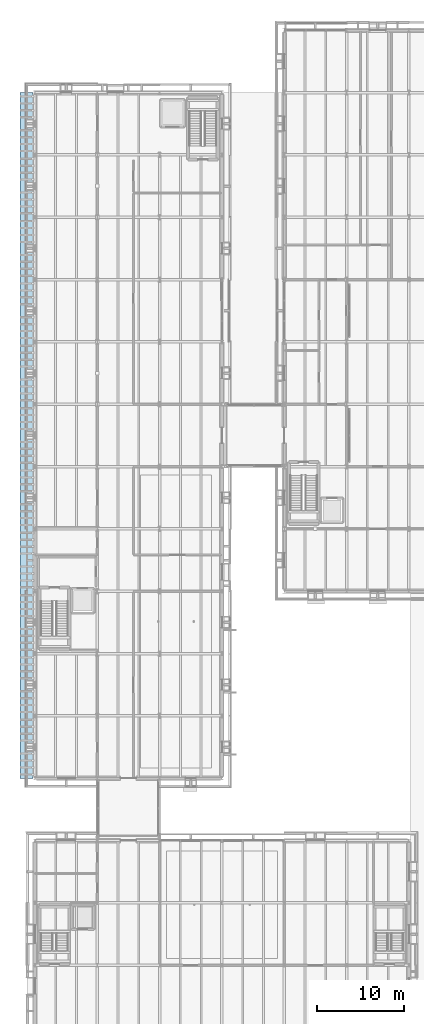
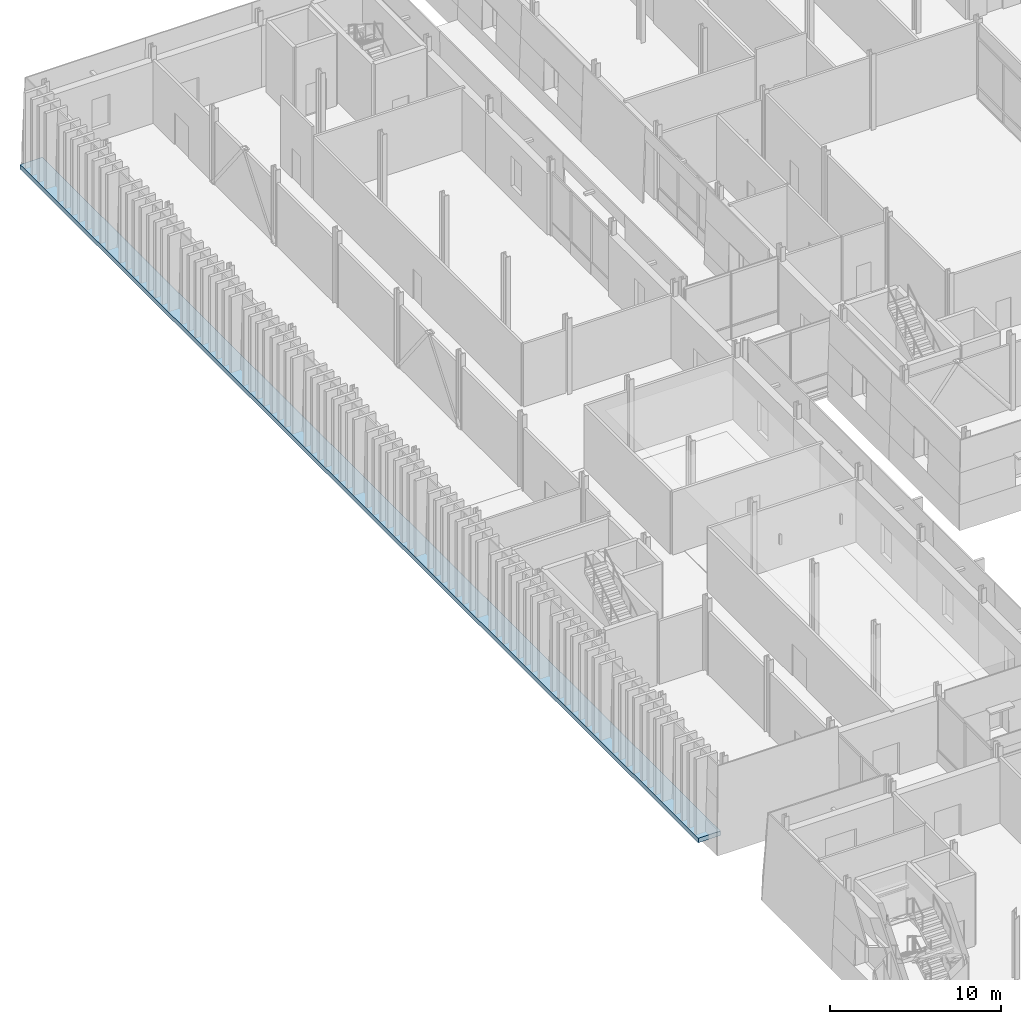
# One storey, part 53 of 120: 1 slab.
"""IFC4 building model written with IfcOpenShell, lengths in metres."""

import ifcopenshell
import ifcopenshell.guid

model = None  # the IFC model being written
_history = None  # IfcOwnerHistory: only IFC2X3 demands one
_inside = {}  # id of a spatial element -> (the spatial element, [elements in it])
_under = {}  # id of a project, library or spatial element -> (it, [spatial elements below it])
_declared = {}  # id of a project -> (the project, [libraries it declares])
_typed = {}  # id of a type object -> (the type object, [elements of that type])
_made_of = {}  # id of a material, layer set ... -> (it, [elements and type objects made of it])


def new_model(schema):
    """Start an empty IFC model of exactly this schema.

    Asked for "IFC4X3", IfcOpenShell would pick the latest addendum, in which some entities
    have other attributes; the version numbers below select the first issue.
    IFC2X3 requires an IfcOwnerHistory on every rooted entity: one is made here for all.
    """
    global model, _history
    if schema == "IFC4X3":
        model = ifcopenshell.file(schema_version=(4, 3, 0, 0))
    else:
        model = ifcopenshell.file(schema=schema)
    _inside.clear()
    _under.clear()
    _declared.clear()
    _typed.clear()
    _made_of.clear()
    _history = None
    if model.schema == "IFC2X3":
        org = make("IfcOrganization", Name="unknown")
        user = make(
            "IfcPersonAndOrganization",
            ThePerson=make("IfcPerson", FamilyName="unknown"),
            TheOrganization=org,
        )
        app = make(
            "IfcApplication",
            ApplicationDeveloper=org,
            Version="unknown",
            ApplicationFullName="unknown",
            ApplicationIdentifier="unknown",
        )
        _history = make(
            "IfcOwnerHistory",
            OwningUser=user,
            OwningApplication=app,
            ChangeAction="ADDED",
            CreationDate=0,
        )
    return model


def make(cls, **values):
    """One entity of the class cls with the attributes given. An attribute that is None is left unset."""
    return model.create_entity(
        cls, **{name: value for name, value in values.items() if value is not None}
    )


def rooted(cls, **values):
    """An entity with a GlobalId (a new one), such as an element, a storey or a relation."""
    return make(cls, GlobalId=ifcopenshell.guid.new(), OwnerHistory=_history, **values)


def si_unit(unit_type, name, prefix=None):
    """IfcSIUnit, for example si_unit("LENGTHUNIT", "METRE", prefix="MILLI")."""
    return make("IfcSIUnit", UnitType=unit_type, Prefix=prefix, Name=name)


def assignment(units):
    """IfcUnitAssignment: the units of a project."""
    return None if units is None else make("IfcUnitAssignment", Units=units)


def point(xyz):
    """IfcCartesianPoint."""
    return None if xyz is None else make("IfcCartesianPoint", Coordinates=xyz)


def direction(xyz):
    """IfcDirection."""
    return None if xyz is None else make("IfcDirection", DirectionRatios=xyz)


def frame(location, z_axis=None, x_axis=None):
    """IfcAxis2Placement3D, a coordinate frame: its origin and axes. An axis left out is left unset."""
    return make(
        "IfcAxis2Placement3D",
        Location=point(location),
        Axis=direction(z_axis),
        RefDirection=direction(x_axis),
    )


def origin():
    """The frame at (0, 0, 0) with its axes left unset."""
    return frame((0.0, 0.0, 0.0))


def place(relative_to, where):
    """IfcLocalPlacement: puts the frame where relative to a parent placement (None: the world)."""
    return make(
        "IfcLocalPlacement", PlacementRelTo=relative_to, RelativePlacement=where
    )


def context(
    kind, dimensions, precision=None, world=None, true_north=None, identifier=None
):
    """IfcGeometricRepresentationContext, for example the 3D "Model" context."""
    return make(
        "IfcGeometricRepresentationContext",
        ContextIdentifier=identifier,
        ContextType=kind,
        CoordinateSpaceDimension=dimensions,
        Precision=precision,
        WorldCoordinateSystem=world,
        TrueNorth=true_north,
    )


def subcontext(parent, identifier, kind, view, scale=None):
    """IfcGeometricRepresentationSubContext, for example "Body" below "Model"."""
    return make(
        "IfcGeometricRepresentationSubContext",
        ContextIdentifier=identifier,
        ContextType=kind,
        ParentContext=parent,
        TargetScale=scale,
        TargetView=view,
    )


def project(units=None, contexts=None):
    """IfcProject with its units and contexts."""
    return rooted(
        "IfcProject",
        Name="project",
        RepresentationContexts=contexts,
        UnitsInContext=assignment(units),
    )


def spatial(cls, under=None, at=None, **own):
    """A site, building, storey or space (cls), placed at a placement, below another one or the project."""
    s = rooted(cls, ObjectPlacement=at, **own)
    if under is not None:
        _under.setdefault(under.id(), (under, []))[1].append(s)
    return s


def polyline(points):
    """IfcPolyline through the points."""
    return make("IfcPolyline", Points=[point(p) for p in points])


def outline(outer, holes=None, kind="AREA"):
    """IfcArbitraryClosedProfileDef: a profile drawn as a closed curve; with holes, ...WithVoids."""
    if holes is None:
        return make("IfcArbitraryClosedProfileDef", ProfileType=kind, OuterCurve=outer)
    return make(
        "IfcArbitraryProfileDefWithVoids",
        ProfileType=kind,
        OuterCurve=outer,
        InnerCurves=holes,
    )


def extrude(swept, where, along, depth):
    """IfcExtrudedAreaSolid: the profile swept, set in the frame where, extruded along a direction by depth."""
    return make(
        "IfcExtrudedAreaSolid",
        SweptArea=swept,
        Position=where,
        ExtrudedDirection=direction(along),
        Depth=depth,
    )


def shape(context_of_items, identifier, shape_type, items):
    """IfcShapeRepresentation: the items that make up one representation, for example the "Body"."""
    return make(
        "IfcShapeRepresentation",
        ContextOfItems=context_of_items,
        RepresentationIdentifier=identifier,
        RepresentationType=shape_type,
        Items=items,
    )


def material(Name=None, Category=None):
    """IfcMaterial."""
    return make("IfcMaterial", Name=Name, Category=Category)


def layer(
    of_material, thickness, ventilated=None, Name=None, Category=None, Priority=None
):
    """IfcMaterialLayer: one layer of a wall or slab, of a material (None: an air gap)."""
    return make(
        "IfcMaterialLayer",
        Material=of_material,
        LayerThickness=thickness,
        IsVentilated=ventilated,
        Name=Name,
        Category=Category,
        Priority=Priority,
    )


def layer_set(layers, Name=None):
    """IfcMaterialLayerSet."""
    return make("IfcMaterialLayerSet", MaterialLayers=layers, LayerSetName=Name)


def made_of(thing, what):
    """Note that an element or type object is made of a material, layer set ...; save() writes the relation."""
    if what is not None:
        _made_of.setdefault(what.id(), (what, []))[1].append(thing)
    return thing


def type_object(cls, material=None, **own):
    """A type object (cls), such as IfcWallType, which elements share."""
    return made_of(rooted(cls, **own), material)


def element(
    cls,
    number,
    at=None,
    inside=None,
    cuts=None,
    type_object=None,
    material=None,
    context=None,
    identifier="Body",
    shape_type=None,
    held_by="IfcProductDefinitionShape",
    body=None,
    shapes=None,
    **own,
):
    """One element of the class cls, such as IfcWall. Its Tag is "e" and its number.

    at: its placement. inside: the storey or other place that contains it. cuts: it is an
    opening in that element (IfcRelVoidsElement). A single representation is given by context,
    identifier, shape_type and body (its items); several are given by shapes. held_by: the class
    of the entity that holds the representations. save() writes the other relations.
    """
    e = rooted(cls, Tag="e%d" % number, ObjectPlacement=at, **own)
    if body is not None:
        shapes = [shape(context, identifier, shape_type, body)]
    if shapes is not None:
        e.Representation = make(held_by, Representations=shapes)
    if inside is not None:
        _inside.setdefault(inside.id(), (inside, []))[1].append(e)
    if cuts is not None:
        rooted(
            "IfcRelVoidsElement", RelatingBuildingElement=cuts, RelatedOpeningElement=e
        )
    if type_object is not None:
        _typed.setdefault(type_object.id(), (type_object, []))[1].append(e)
    return made_of(e, material)


def aggregate(whole, parts):
    """IfcRelAggregates: a whole, such as a stair, and the parts it consists of."""
    return rooted("IfcRelAggregates", RelatingObject=whole, RelatedObjects=parts)


def save(model, path):
    """Write the relations noted so far, then the file.

    IfcRelAggregates (storeys below a building ...), IfcRelContainedInSpatialStructure (elements
    in a storey), IfcRelDefinesByType, IfcRelAssociatesMaterial and IfcRelDeclares: one each for
    every whole, place, type object, material and project.
    """
    for whole, parts in _under.values():
        aggregate(whole, parts)
    for where, things in _inside.values():
        rooted(
            "IfcRelContainedInSpatialStructure",
            RelatedElements=things,
            RelatingStructure=where,
        )
    for kind, things in _typed.values():
        rooted("IfcRelDefinesByType", RelatedObjects=things, RelatingType=kind)
    for what, things in _made_of.values():
        rooted("IfcRelAssociatesMaterial", RelatedObjects=things, RelatingMaterial=what)
    for by, libraries in _declared.values():
        rooted("IfcRelDeclares", RelatingContext=by, RelatedDefinitions=libraries)
    model.write(path)


model = new_model("IFC4")

# Units and contexts
model_context = context("Model", 3, precision=1e-05, world=origin(), true_north=direction((0.0, 1.0)))
body_context = subcontext(model_context, "Body", "Model", "MODEL_VIEW")
ifc_project = project(units=[si_unit("LENGTHUNIT", "METRE"), si_unit("AREAUNIT", "SQUARE_METRE"), si_unit("VOLUMEUNIT", "CUBIC_METRE"), si_unit("PLANEANGLEUNIT", "RADIAN"), si_unit("MASSUNIT", "GRAM", prefix="KILO")], contexts=[model_context])

# Site, building, storey
site_placement = place(None, origin())
site = spatial("IfcSite", under=ifc_project, at=site_placement, CompositionType="ELEMENT")
building_placement = place(site_placement, origin())
building = spatial("IfcBuilding", under=site, at=building_placement, Name="Narikvali Park Central Library", CompositionType="ELEMENT")
storey_placement = place(building_placement, origin())
storey = spatial("IfcBuildingStorey", under=building, at=storey_placement, Name="L00", CompositionType="ELEMENT", Elevation=0.0)

# Slab
ifc_material = material(Name="Concrete C35/45", Category="concrete")
ifc_layer = layer(ifc_material, 0.320068359375, Name="Concrete C35/45")
ifc_layer_set = layer_set([ifc_layer], Name="Concrete C35/45")
slab_type = type_object("IfcSlabType", Name="Forecourt Apron Paving Slab 320", PredefinedType="BASESLAB", material=ifc_layer_set)
slab_placement = place(storey_placement, frame((0.0, 0.0, -0.320068359375)))
element("IfcSlab", 1, at=slab_placement, inside=storey, type_object=slab_type, Name="West Stacks Fin Buttress Plinth Ledger Slab", PredefinedType="BASESLAB", context=body_context, shape_type="SweptSolid", body=[
    extrude(outline(polyline([(-1.719970703125, 28.800048828125), (-0.219970703125, 28.800048828125), (-0.219970703125, 108.0), (-1.719970703125, 108.0), (-1.719970703125, 28.800048828125)])), origin(), (0.0, 0.0, 1.0), 0.320068359375),
])

save(model, "model.ifc")
